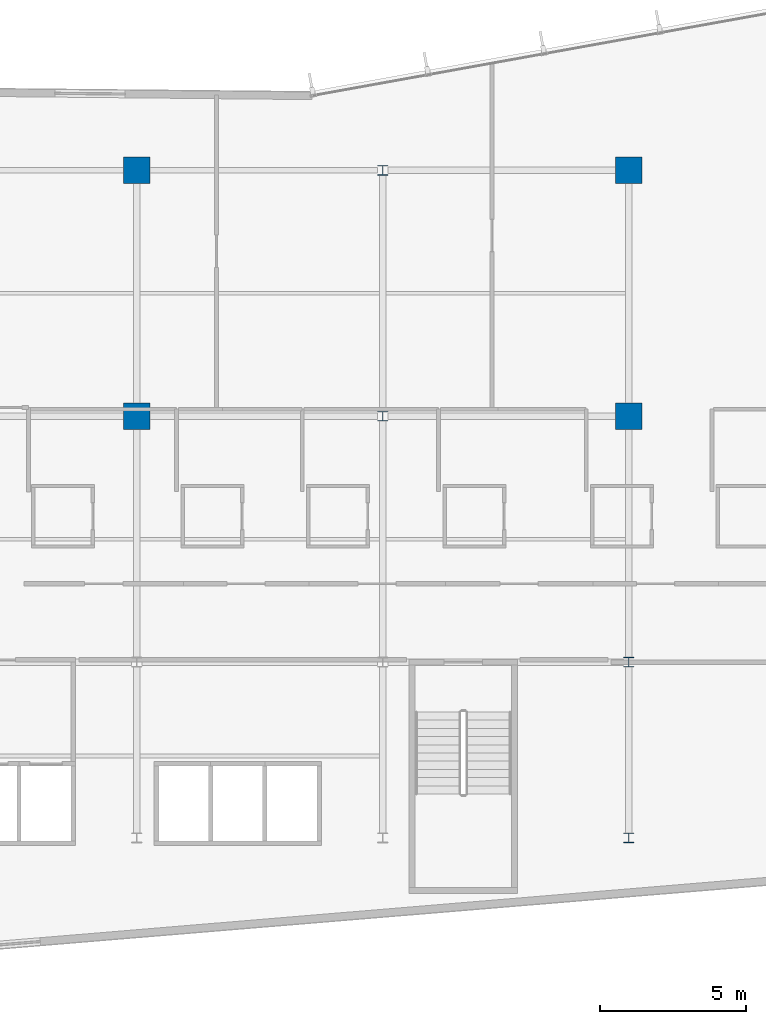
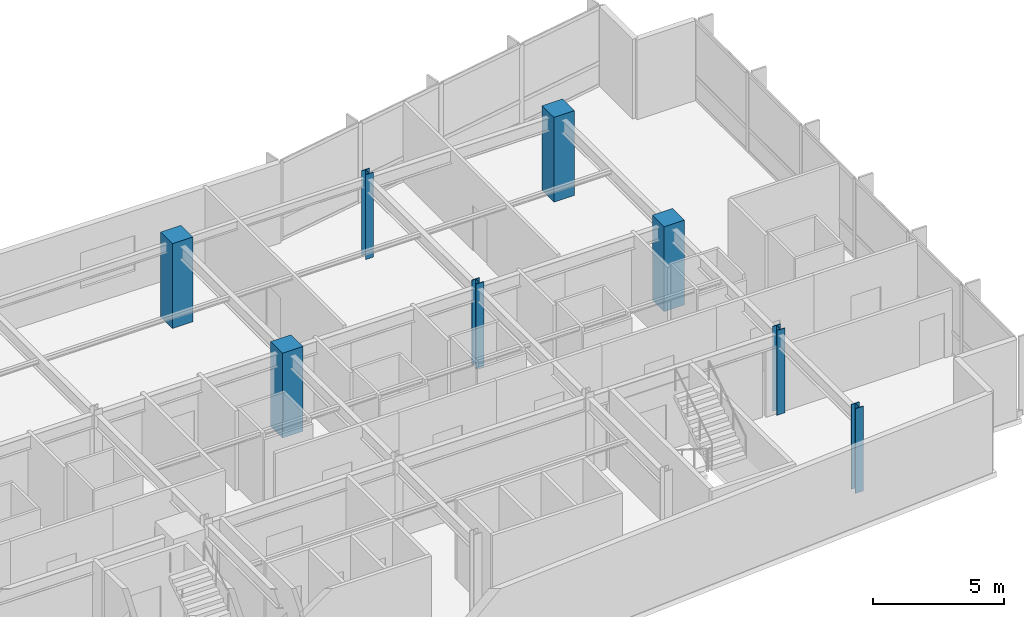
# One storey, part 2 of 21: 8 columns.
"""IFC4 building model written with IfcOpenShell, lengths in metres."""

from ifc_helpers import new_model, si_unit, direction, frame, origin, origin_2d, place, context, subcontext, project, spatial, rectangle, i_section, extrude, material, material_profile, profile_set, type_object, element, save


model = new_model("IFC4")

# Units and contexts
model_context = context("Model", 3, precision=1e-05, world=origin(), true_north=direction((0.0, 1.0)))
body_context = subcontext(model_context, "Body", "Model", "MODEL_VIEW")
ifc_project = project(units=[si_unit("LENGTHUNIT", "METRE"), si_unit("AREAUNIT", "SQUARE_METRE"), si_unit("VOLUMEUNIT", "CUBIC_METRE"), si_unit("PLANEANGLEUNIT", "RADIAN"), si_unit("MASSUNIT", "GRAM", prefix="KILO")], contexts=[model_context])

# Site, building, storey
site_placement = place(None, origin())
site = spatial("IfcSite", under=ifc_project, at=site_placement, CompositionType="ELEMENT")
building_placement = place(site_placement, origin())
building = spatial("IfcBuilding", under=site, at=building_placement, Name="Varnakote Quay Hospital", CompositionType="ELEMENT")
storey_placement = place(building_placement, frame((0.0, 0.0, 34.35009765625)))
storey = spatial("IfcBuildingStorey", under=building, at=storey_placement, Name="L08", CompositionType="ELEMENT", Elevation=34.35009765625)

# Columns
ifc_material_1 = material(Name="Concrete N50 (f'c 50 MPa)", Category="concrete")
ifc_material_profile_1 = material_profile(ifc_material_1, rectangle(XDim=0.89990234375, YDim=0.89990234375, at=origin_2d()), Name="RC-COL-900x900")
ifc_profile_set_1 = profile_set([ifc_material_profile_1], Name="Concrete N50 (f'c 50 MPa)")
column_type_1 = type_object("IfcColumnType", Name="COL-RC-900", PredefinedType="COLUMN", material=ifc_profile_set_1)
for number, where, z_axis, x_axis, name in (
    (1, (33.60009765625, 20.39990234375, 0.0), (0.0, 0.0, 1.0), (1.0, 0.0, 0.0), "L08 Structural Column C-34-20"),
    (2, (50.39990234375, 20.39990234375, 0.0), (0.0, 0.0, 1.0), (1.0, 0.0, 0.0), "L08 Structural Column C-50-20"),
    (3, (33.60009765625, 28.800048828125, 0.0), (0.0, 0.0, 1.0), (1.0, 0.0, 0.0), "L08 Structural Column C-34-29"),
    (4, (50.39990234375, 28.800048828125, 0.0), (0.0, 0.0, 1.0), (1.0, 0.0, 0.0), "L08 Structural Column C-50-29"),
):
    element("IfcColumn", number, at=place(storey_placement, frame(where, z_axis=z_axis, x_axis=x_axis)), inside=storey, type_object=column_type_1, Name=name, PredefinedType="COLUMN", context=body_context, shape_type="SweptSolid", body=[
        extrude(rectangle(XDim=0.89990234375, YDim=0.89990234375, at=origin_2d()), origin(), (0.0, 0.0, 1.0), 3.949951171875),
    ])
ifc_material_2 = material(Name="Structural steel AS/NZS 3678 Grade 350 (fy 340 MPa)", Category="steel")
ifc_material_profile_2 = material_profile(ifc_material_2, i_section(OverallWidth=0.35009765625, OverallDepth=0.340087890625, WebThickness=0.01611328125, FlangeThickness=0.028076171875, at=origin_2d()), Name="350WC197")
ifc_profile_set_2 = profile_set([ifc_material_profile_2], Name="Structural steel AS/NZS 3678 Grade 350 (fy 340 MPa)")
column_type_2 = type_object("IfcColumnType", Name="COL-STL-350WC197", PredefinedType="COLUMN", material=ifc_profile_set_2)
for number, where, z_axis, x_axis, name in (
    (5, (50.39990234375, 6.0, 0.0), (0.0, 0.0, 1.0), (1.0, 0.0, 0.0), "L08 Structural Column C-50-6"),
    (6, (50.39990234375, 12.0, 0.0), (0.0, 0.0, 1.0), (1.0, 0.0, 0.0), "L08 Structural Column C-50-12"),
    (7, (42.0, 20.39990234375, 0.0), (0.0, 0.0, 1.0), (1.0, 0.0, 0.0), "L08 Structural Column C-42-20"),
    (8, (42.0, 28.800048828125, 0.0), (0.0, 0.0, 1.0), (1.0, 0.0, 0.0), "L08 Structural Column C-42-29"),
):
    element("IfcColumn", number, at=place(storey_placement, frame(where, z_axis=z_axis, x_axis=x_axis)), inside=storey, type_object=column_type_2, Name=name, PredefinedType="COLUMN", context=body_context, shape_type="SweptSolid", body=[
        extrude(i_section(OverallWidth=0.35009765625, OverallDepth=0.340087890625, WebThickness=0.01611328125, FlangeThickness=0.028076171875, at=origin_2d()), origin(), (0.0, 0.0, 1.0), 3.949951171875),
    ])

save(model, "model.ifc")
